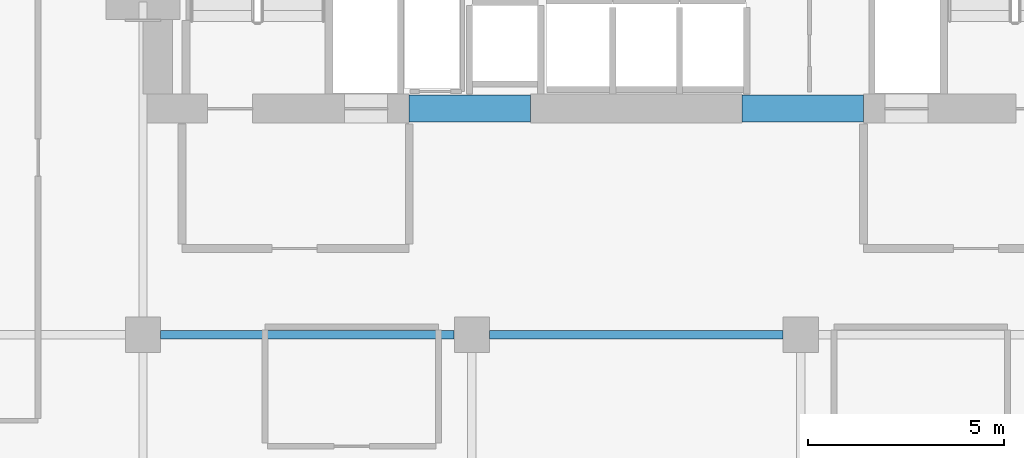
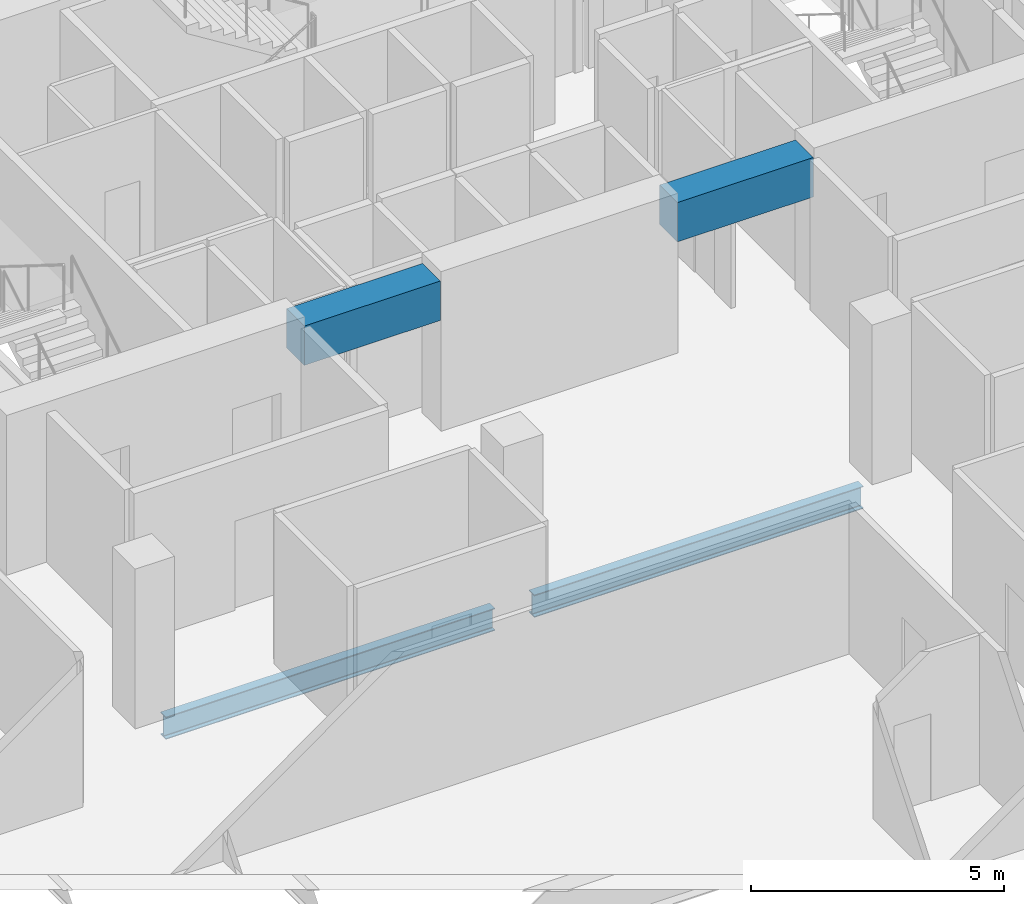
# One storey, part 21 of 33: 4 beams.
"""IFC4 building model written with IfcOpenShell, lengths in metres."""

from ifc_helpers import new_model, si_unit, direction, frame, origin, origin_2d, place, context, subcontext, project, spatial, rectangle, i_section, extrude, material, material_profile, profile_set, type_object, element, save


model = new_model("IFC4")

# Units and contexts
model_context = context("Model", 3, precision=1e-05, world=origin(), true_north=direction((0.0, 1.0)))
body_context = subcontext(model_context, "Body", "Model", "MODEL_VIEW")
ifc_project = project(units=[si_unit("LENGTHUNIT", "METRE"), si_unit("AREAUNIT", "SQUARE_METRE"), si_unit("VOLUMEUNIT", "CUBIC_METRE"), si_unit("PLANEANGLEUNIT", "RADIAN"), si_unit("MASSUNIT", "GRAM", prefix="KILO")], contexts=[model_context])

# Site, building, storey
site_placement = place(None, origin())
site = spatial("IfcSite", under=ifc_project, at=site_placement, CompositionType="ELEMENT")
building_placement = place(site_placement, origin())
building = spatial("IfcBuilding", under=site, at=building_placement, Name="Maruvema Waterfront Hotel and Observation Tower", CompositionType="ELEMENT")
storey_placement = place(building_placement, frame((0.0, 0.0, 200.550048828125)))
storey = spatial("IfcBuildingStorey", under=building, at=storey_placement, Name="L49", CompositionType="ELEMENT", Elevation=200.550048828125)

# Beams
ifc_material_1 = material(Name="Concrete C60/75", Category="concrete")
ifc_material_profile_1 = material_profile(ifc_material_1, rectangle(XDim=0.699951171875, YDim=0.949951171875, at=origin_2d()), Name="CB700x950")
ifc_profile_set_1 = profile_set([ifc_material_profile_1], Name="Concrete C60/75")
beam_type_1 = type_object("IfcBeamType", Name="Core Coupling Lintel Beam CB700x950", PredefinedType="LINTEL", material=ifc_profile_set_1)
for number, where, z_axis, x_axis, name in (
    (1, (32.0, 41.77490234375, 3.135009765625), (1.0, 0.0, 0.0), (0.0, 1.0, 0.0), "L49 Core Coupling Lintel Beam West"),
    (2, (40.5, 41.77490234375, 3.135009765625), (1.0, 0.0, 0.0), (0.0, 1.0, 0.0), "L49 Core Coupling Lintel Beam East"),
):
    element("IfcBeam", number, at=place(storey_placement, frame(where, z_axis=z_axis, x_axis=x_axis)), inside=storey, type_object=beam_type_1, Name=name, PredefinedType="LINTEL", context=body_context, shape_type="SweptSolid", body=[
        extrude(rectangle(XDim=0.699951171875, YDim=0.949951171875, at=origin_2d()), origin(), (0.0, 0.0, 1.0), 3.10009765625),
    ])
ifc_material_2 = material(Name="Steel ASTM A572 Grade 50", Category="steel")
ifc_material_profile_2 = material_profile(ifc_material_2, i_section(OverallWidth=0.2109375, OverallDepth=0.5390625, WebThickness=0.01171875, FlangeThickness=0.018798828125, FilletRadius=0.014892578125, at=origin_2d()), Name="W530x109.0")
ifc_profile_set_2 = profile_set([ifc_material_profile_2], Name="Steel ASTM A572 Grade 50")
beam_type_2 = type_object("IfcBeamType", Name="Primary Floor Girder W530x109.0", PredefinedType="BEAM", material=ifc_profile_set_2)
for number, where, z_axis, x_axis, name in (
    (3, (25.64990234375, 36.0, -0.509521484375), (1.0, 0.0, 0.0), (0.0, 1.0, 0.0), "L49 Floor Girder EW-25"),
    (4, (34.050048828125, 36.0, -0.509521484375), (1.0, 0.0, 0.0), (0.0, 1.0, 0.0), "L49 Floor Girder EW-26"),
):
    element("IfcBeam", number, at=place(storey_placement, frame(where, z_axis=z_axis, x_axis=x_axis)), inside=storey, type_object=beam_type_2, Name=name, PredefinedType="BEAM", context=body_context, shape_type="SweptSolid", body=[
        extrude(i_section(OverallWidth=0.2109375, OverallDepth=0.5390625, WebThickness=0.01171875, FlangeThickness=0.018798828125, FilletRadius=0.014892578125, at=origin_2d()), origin(), (0.0, 0.0, 1.0), 7.5),
    ])

save(model, "model.ifc")
